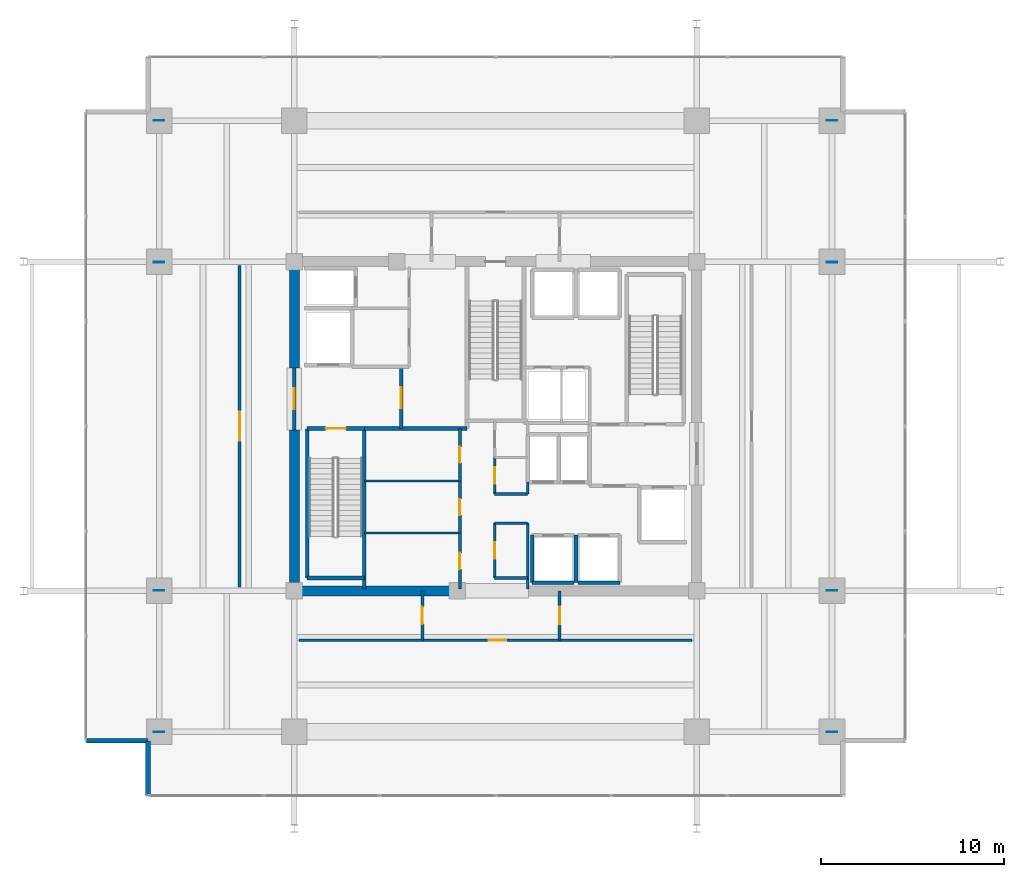
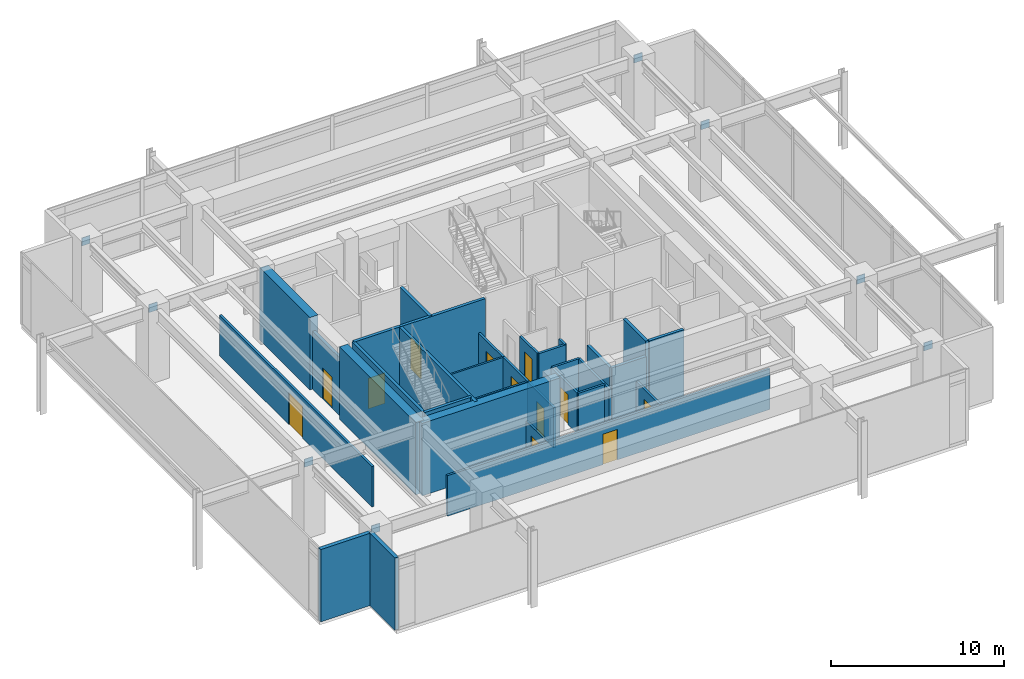
# One storey, part 20 of 24: 32 walls, 12 doors, 8 plates, 12 openings.
"""IFC4 building model written with IfcOpenShell, lengths in metres."""

from ifc_helpers import new_model, si_unit, direction, frame, frame_2d, origin, origin_2d, place, context, subcontext, project, spatial, rectangle, extrude, material, layer, layer_set, type_object, element, fill, save


model = new_model("IFC4")

# Units and contexts
model_context = context("Model", 3, precision=1e-05, world=origin(), true_north=direction((0.0, 1.0)))
body_context = subcontext(model_context, "Body", "Model", "MODEL_VIEW")
ifc_project = project(units=[si_unit("LENGTHUNIT", "METRE"), si_unit("AREAUNIT", "SQUARE_METRE"), si_unit("VOLUMEUNIT", "CUBIC_METRE"), si_unit("PLANEANGLEUNIT", "RADIAN"), si_unit("MASSUNIT", "GRAM", prefix="KILO")], contexts=[model_context])

# Site, building, storey
site_placement = place(None, origin())
site = spatial("IfcSite", under=ifc_project, at=site_placement, CompositionType="ELEMENT")
building_placement = place(site_placement, origin())
building = spatial("IfcBuilding", under=site, at=building_placement, Name="Kovane Verandah Tower", CompositionType="ELEMENT")
storey_placement = place(building_placement, frame((0.0, 0.0, 194.800048828125)))
storey = spatial("IfcBuildingStorey", under=building, at=storey_placement, Name="L45", CompositionType="ELEMENT", Elevation=194.800048828125)

# Plates
ifc_material_1 = material(Name="Steel S460", Category="steel")
ifc_layer_1 = layer(ifc_material_1, 0.050048828125)
ifc_layer_set_1 = layer_set([ifc_layer_1], Name="Steel S460")
plate_type = type_object("IfcPlateType", Name="PL-CAP-50", PredefinedType="SHEET", material=ifc_layer_set_1)
for number, where, z_axis, x_axis, name in (
    (1, (21.60009765625, 10.780029296875, 4.5400390625), (0.0, 0.0, 1.0), (0.0, 1.0, 0.0), "BT-CH-BW1-L45-P0"),
    (2, (21.60009765625, 18.52001953125, 4.5400390625), (0.0, 0.0, 1.0), (0.0, 1.0, 0.0), "BT-CH-BW1-L45-P1"),
    (3, (21.60009765625, 36.47998046875, 4.5400390625), (0.0, 0.0, 1.0), (0.0, 1.0, 0.0), "BT-CH-BW2-L45-P0"),
    (4, (21.60009765625, 44.219970703125, 4.5400390625), (0.0, 0.0, 1.0), (0.0, 1.0, 0.0), "BT-CH-BW2-L45-P1"),
    (5, (58.39990234375, 10.780029296875, 4.5400390625), (0.0, 0.0, 1.0), (0.0, 1.0, 0.0), "BT-CH-BE1-L45-P0"),
    (6, (58.39990234375, 18.52001953125, 4.5400390625), (0.0, 0.0, 1.0), (0.0, 1.0, 0.0), "BT-CH-BE1-L45-P1"),
    (7, (58.39990234375, 36.47998046875, 4.5400390625), (0.0, 0.0, 1.0), (0.0, 1.0, 0.0), "BT-CH-BE2-L45-P0"),
    (8, (58.39990234375, 44.219970703125, 4.5400390625), (0.0, 0.0, 1.0), (0.0, 1.0, 0.0), "BT-CH-BE2-L45-P1"),
):
    element("IfcPlate", number, at=place(storey_placement, frame(where, z_axis=z_axis, x_axis=x_axis)), inside=storey, type_object=plate_type, Name=name, PredefinedType="SHEET", context=body_context, shape_type="SweptSolid", body=[
        extrude(rectangle(XDim=0.050048828125, YDim=0.56005859375, at=origin_2d()), origin(), (0.0, 0.0, 1.0), 0.56005859375),
    ])

# Walls
ifc_material_2 = material(Name="Fire-Rated Gypsum Stud Partition", Category="gypsum")
ifc_layer_2 = layer(ifc_material_2, 0.14990234375)
ifc_layer_set_2 = layer_set([ifc_layer_2], Name="Fire-Rated Gypsum Stud Partition")
wall_type_1 = type_object("IfcWallType", Name="WL-COR-150", PredefinedType="PARTITIONING", material=ifc_layer_set_2)
for number, where, z_axis, x_axis, name in (
    (9, (39.949951171875, 19.199951171875, 0.0), (0.0, 0.0, 1.0), (1.0, 0.0, 0.0), "L45 Central Core Strip South Wall"),
    (10, (39.949951171875, 22.199951171875, 0.0), (0.0, 0.0, 1.0), (1.0, 0.0, 0.0), "L45 Core Cross-Passage South Wall"),
    (11, (39.949951171875, 23.800048828125, 0.0), (0.0, 0.0, 1.0), (1.0, 0.0, 0.0), "L45 Core Cross-Passage North Wall"),
):
    element("IfcWall", number, at=place(storey_placement, frame(where, z_axis=z_axis, x_axis=x_axis)), inside=storey, type_object=wall_type_1, Name=name, PredefinedType="PARTITIONING", context=body_context, shape_type="SweptSolid", body=[
        extrude(rectangle(XDim=1.81005859375, YDim=0.14990234375, at=frame_2d((0.905029296875, 0.0))), origin(), (0.0, 0.0, 1.0), 2.849853515625),
    ])
wall_1_placement = place(storey_placement, frame((41.760009765625, 18.60009765625, 0.0), z_axis=(0.0, 0.0, 1.0), x_axis=(0.0, 1.0, 0.0)))
element("IfcWall", 12, at=wall_1_placement, inside=storey, type_object=wall_type_1, Name="L45 Central Core Strip Lower East Wall", PredefinedType="PARTITIONING", context=body_context, shape_type="SweptSolid", body=[
    extrude(rectangle(XDim=3.599853515625, YDim=0.14990234375, at=frame_2d((1.7998046875, 0.0))), origin(), (0.0, 0.0, 1.0), 2.849853515625),
])
wall_2_placement = place(storey_placement, frame((41.760009765625, 23.800048828125, 0.0), z_axis=(0.0, 0.0, 1.0), x_axis=(0.0, 1.0, 0.0)))
element("IfcWall", 13, at=wall_2_placement, inside=storey, type_object=wall_type_1, Name="L45 Central Core Strip Middle East Wall", PredefinedType="PARTITIONING", context=body_context, shape_type="SweptSolid", body=[
    extrude(rectangle(XDim=0.64990234375, YDim=0.14990234375, at=frame_2d((0.324951171875, 0.0))), origin(), (0.0, 0.0, 1.0), 2.849853515625),
])

# Wall, opening, door
wall_3_placement = place(storey_placement, frame((39.949951171875, 19.199951171875, 0.0), z_axis=(0.0, 0.0, 1.0), x_axis=(0.0, 1.0, 0.0)))
wall_3 = element("IfcWall", 14, at=wall_3_placement, inside=storey, type_object=wall_type_1, Name="L45 Male Toilet Partition", PredefinedType="PARTITIONING", context=body_context, shape_type="SweptSolid", body=[
    extrude(rectangle(XDim=3.0, YDim=0.14990234375, at=frame_2d((1.5, 0.0))), origin(), (0.0, 0.0, 1.0), 2.849853515625),
])
opening_1_placement = place(wall_3_placement, frame((1.050048828125, 0.0, 0.0)))
opening_1 = element("IfcOpeningElement", 15, at=opening_1_placement, cuts=wall_3, Name="Opening DR-L45-026", PredefinedType="OPENING", context=body_context, shape_type="SweptSolid", body=[
    extrude(rectangle(XDim=0.89990234375, YDim=2.10009765625, at=frame_2d((0.449951171875, 1.050048828125))), frame((0.0, 0.074951171875, 0.0), z_axis=(0.0, -1.0, 0.0), x_axis=(1.0, 0.0, 0.0)), (0.0, 0.0, 1.0), 0.14990234375),
])
ifc_material_3 = material(Name="Moisture-Resistant Laminate Washroom Door", Category="wood")
door_type_1 = type_object("IfcDoorType", Name="DR-WC-900", OperationType="SINGLE_SWING_LEFT", PredefinedType="DOOR", material=ifc_material_3)
door_1_placement = place(opening_1_placement, origin())
door_1 = element("IfcDoor", 16, at=door_1_placement, inside=storey, type_object=door_type_1, Name="L45 Male Toilet Door", OperationType="SINGLE_SWING_RIGHT", OverallHeight=2.10009765625, OverallWidth=0.89990234375, PredefinedType="DOOR", context=body_context, shape_type="SweptSolid", body=[
    extrude(rectangle(XDim=0.89990234375, YDim=2.10009765625, at=frame_2d((0.449951171875, 1.050048828125))), frame((0.0, 0.02490234375, 0.0), z_axis=(0.0, -1.0, 0.0), x_axis=(1.0, 0.0, 0.0)), (0.0, 0.0, 1.0), 0.050048828125),
])
fill(opening_1, door_1)

wall_4_placement = place(storey_placement, frame((39.949951171875, 23.800048828125, 0.0), z_axis=(0.0, 0.0, 1.0), x_axis=(0.0, 1.0, 0.0)))
wall_4 = element("IfcWall", 17, at=wall_4_placement, inside=storey, type_object=wall_type_1, Name="L45 Female Toilet Partition", PredefinedType="PARTITIONING", context=body_context, shape_type="SweptSolid", body=[
    extrude(rectangle(XDim=2.0, YDim=0.14990234375, at=frame_2d((1.0, 0.0))), origin(), (0.0, 0.0, 1.0), 2.849853515625),
])
opening_2_placement = place(wall_4_placement, frame((0.550048828125, 0.0, 0.0)))
opening_2 = element("IfcOpeningElement", 18, at=opening_2_placement, cuts=wall_4, Name="Opening DR-L45-025", PredefinedType="OPENING", context=body_context, shape_type="SweptSolid", body=[
    extrude(rectangle(XDim=0.89990234375, YDim=2.10009765625, at=frame_2d((0.449951171875, 1.050048828125))), frame((0.0, 0.074951171875, 0.0), z_axis=(0.0, -1.0, 0.0), x_axis=(1.0, 0.0, 0.0)), (0.0, 0.0, 1.0), 0.14990234375),
])
door_2_placement = place(opening_2_placement, origin())
door_2 = element("IfcDoor", 19, at=door_2_placement, inside=storey, type_object=door_type_1, Name="L45 Female Toilet Door", OperationType="SINGLE_SWING_LEFT", OverallHeight=2.10009765625, OverallWidth=0.89990234375, PredefinedType="DOOR", context=body_context, shape_type="SweptSolid", body=[
    extrude(rectangle(XDim=0.89990234375, YDim=2.10009765625, at=frame_2d((0.449951171875, 1.050048828125))), frame((0.0, 0.02490234375, 0.0), z_axis=(0.0, -1.0, 0.0), x_axis=(1.0, 0.0, 0.0)), (0.0, 0.0, 1.0), 0.050048828125),
])
fill(opening_2, door_2)

wall_5_placement = place(storey_placement, frame((38.050048828125, 18.60009765625, 0.0), z_axis=(0.0, 0.0, 1.0), x_axis=(0.0, 1.0, 0.0)))
wall_5 = element("IfcWall", 20, at=wall_5_placement, inside=storey, type_object=wall_type_1, Name="L45 Core Smoke Extract Plant Room Partition", PredefinedType="PARTITIONING", context=body_context, shape_type="SweptSolid", body=[
    extrude(rectangle(XDim=3.059814453125, YDim=0.14990234375, at=frame_2d((1.52978515625, 0.0))), origin(), (0.0, 0.0, 1.0), 2.849853515625),
])
opening_3_placement = place(wall_5_placement, frame((1.090087890625, 0.0, 0.0)))
opening_3 = element("IfcOpeningElement", 21, at=opening_3_placement, cuts=wall_5, Name="Opening DR-L45-015", PredefinedType="OPENING", context=body_context, shape_type="SweptSolid", body=[
    extrude(rectangle(XDim=0.8798828125, YDim=2.10009765625, at=frame_2d((0.43994140625, 1.050048828125))), frame((0.0, 0.074951171875, 0.0), z_axis=(0.0, -1.0, 0.0), x_axis=(1.0, 0.0, 0.0)), (0.0, 0.0, 1.0), 0.14990234375),
])
ifc_material_4 = material(Name="Fire-Rated Steel Riser Access Door", Category="steel")
door_type_2 = type_object("IfcDoorType", Name="DR-RISER-880", OperationType="SINGLE_SWING_LEFT", PredefinedType="DOOR", material=ifc_material_4)
door_3_placement = place(opening_3_placement, origin())
door_3 = element("IfcDoor", 22, at=door_3_placement, inside=storey, type_object=door_type_2, Name="L45 Core Smoke Extract Plant Room Door", OperationType="SINGLE_SWING_LEFT", OverallHeight=2.10009765625, OverallWidth=0.8798828125, PredefinedType="DOOR", context=body_context, shape_type="SweptSolid", body=[
    extrude(rectangle(XDim=0.8798828125, YDim=2.10009765625, at=frame_2d((0.43994140625, 1.050048828125))), frame((0.0, 0.02490234375, 0.0), z_axis=(0.0, -1.0, 0.0), x_axis=(1.0, 0.0, 0.0)), (0.0, 0.0, 1.0), 0.050048828125),
])
fill(opening_3, door_3)

wall_6_placement = place(storey_placement, frame((38.050048828125, 21.659912109375, 0.0), z_axis=(0.0, 0.0, 1.0), x_axis=(0.0, 1.0, 0.0)))
wall_6 = element("IfcWall", 23, at=wall_6_placement, inside=storey, type_object=wall_type_1, Name="L45 Core Chilled Water Booster Plant Room Partition", PredefinedType="PARTITIONING", context=body_context, shape_type="SweptSolid", body=[
    extrude(rectangle(XDim=2.840087890625, YDim=0.14990234375, at=frame_2d((1.419921875, 0.0))), origin(), (0.0, 0.0, 1.0), 2.849853515625),
])
opening_4_placement = place(wall_6_placement, frame((0.97998046875, 0.0, 0.0)))
opening_4 = element("IfcOpeningElement", 24, at=opening_4_placement, cuts=wall_6, Name="Opening DR-L45-016", PredefinedType="OPENING", context=body_context, shape_type="SweptSolid", body=[
    extrude(rectangle(XDim=0.8798828125, YDim=2.10009765625, at=frame_2d((0.43994140625, 1.050048828125))), frame((0.0, 0.074951171875, 0.0), z_axis=(0.0, -1.0, 0.0), x_axis=(1.0, 0.0, 0.0)), (0.0, 0.0, 1.0), 0.14990234375),
])
door_4_placement = place(opening_4_placement, origin())
door_4 = element("IfcDoor", 25, at=door_4_placement, inside=storey, type_object=door_type_2, Name="L45 Core Chilled Water Booster Plant Room Door", OperationType="SINGLE_SWING_RIGHT", OverallHeight=2.10009765625, OverallWidth=0.8798828125, PredefinedType="DOOR", context=body_context, shape_type="SweptSolid", body=[
    extrude(rectangle(XDim=0.8798828125, YDim=2.10009765625, at=frame_2d((0.43994140625, 1.050048828125))), frame((0.0, 0.02490234375, 0.0), z_axis=(0.0, -1.0, 0.0), x_axis=(1.0, 0.0, 0.0)), (0.0, 0.0, 1.0), 0.050048828125),
])
fill(opening_4, door_4)

wall_7_placement = place(storey_placement, frame((38.050048828125, 24.5, 0.0), z_axis=(0.0, 0.0, 1.0), x_axis=(0.0, 1.0, 0.0)))
wall_7 = element("IfcWall", 26, at=wall_7_placement, inside=storey, type_object=wall_type_1, Name="L45 Core Electrical Switchgear Plant Room Partition", PredefinedType="PARTITIONING", context=body_context, shape_type="SweptSolid", body=[
    extrude(rectangle(XDim=2.8798828125, YDim=0.14990234375, at=frame_2d((1.43994140625, 0.0))), origin(), (0.0, 0.0, 1.0), 2.849853515625),
])
opening_5_placement = place(wall_7_placement, frame((1.0, 0.0, 0.0)))
opening_5 = element("IfcOpeningElement", 27, at=opening_5_placement, cuts=wall_7, Name="Opening DR-L45-017", PredefinedType="OPENING", context=body_context, shape_type="SweptSolid", body=[
    extrude(rectangle(XDim=0.8798828125, YDim=2.10009765625, at=frame_2d((0.43994140625, 1.050048828125))), frame((0.0, 0.074951171875, 0.0), z_axis=(0.0, -1.0, 0.0), x_axis=(1.0, 0.0, 0.0)), (0.0, 0.0, 1.0), 0.14990234375),
])
door_5_placement = place(opening_5_placement, origin())
door_5 = element("IfcDoor", 28, at=door_5_placement, inside=storey, type_object=door_type_2, Name="L45 Core Electrical Switchgear Plant Room Door", OperationType="SINGLE_SWING_LEFT", OverallHeight=2.10009765625, OverallWidth=0.8798828125, PredefinedType="DOOR", context=body_context, shape_type="SweptSolid", body=[
    extrude(rectangle(XDim=0.8798828125, YDim=2.10009765625, at=frame_2d((0.43994140625, 1.050048828125))), frame((0.0, 0.02490234375, 0.0), z_axis=(0.0, -1.0, 0.0), x_axis=(1.0, 0.0, 0.0)), (0.0, 0.0, 1.0), 0.050048828125),
])
fill(opening_5, door_5)

wall_8_placement = place(storey_placement, frame((36.0, 15.800048828125, 0.0), z_axis=(0.0, 0.0, 1.0), x_axis=(0.0, 1.0, 0.0)))
wall_8 = element("IfcWall", 29, at=wall_8_placement, inside=storey, type_object=wall_type_1, Name="L45 South Refuge Stair Lobby West Fire Wall", PredefinedType="PARTITIONING", context=body_context, shape_type="SweptSolid", body=[
    extrude(rectangle(XDim=2.699951171875, YDim=0.14990234375, at=frame_2d((1.35009765625, 0.0))), origin(), (0.0, 0.0, 1.0), 2.849853515625),
])
opening_6_placement = place(wall_8_placement, frame((0.875, 0.0, 0.0)))
opening_6 = element("IfcOpeningElement", 30, at=opening_6_placement, cuts=wall_8, Name="Opening DR-L45-010", PredefinedType="OPENING", context=body_context, shape_type="SweptSolid", body=[
    extrude(rectangle(XDim=0.949951171875, YDim=2.14990234375, at=frame_2d((0.47509765625, 1.074951171875))), frame((0.0, 0.074951171875, 0.0), z_axis=(0.0, -1.0, 0.0), x_axis=(1.0, 0.0, 0.0)), (0.0, 0.0, 1.0), 0.14990234375),
])
ifc_material_5 = material(Name="Fire-Rated Steel Refuge and Lobby Door", Category="steel")
door_type_3 = type_object("IfcDoorType", Name="DR-FIRE-950", OperationType="SINGLE_SWING_LEFT", PredefinedType="DOOR", material=ifc_material_5)
door_6_placement = place(opening_6_placement, origin())
door_6 = element("IfcDoor", 31, at=door_6_placement, inside=storey, type_object=door_type_3, Name="L45 South Refuge Stair Lobby West Fire Door", OperationType="SINGLE_SWING_RIGHT", OverallHeight=2.14990234375, OverallWidth=0.949951171875, PredefinedType="DOOR", context=body_context, shape_type="SweptSolid", body=[
    extrude(rectangle(XDim=0.949951171875, YDim=2.14990234375, at=frame_2d((0.47509765625, 1.074951171875))), frame((0.0, 0.02490234375, 0.0), z_axis=(0.0, -1.0, 0.0), x_axis=(1.0, 0.0, 0.0)), (0.0, 0.0, 1.0), 0.050048828125),
])
fill(opening_6, door_6)

wall_9_placement = place(storey_placement, frame((43.5, 15.800048828125, 0.0), z_axis=(0.0, 0.0, 1.0), x_axis=(0.0, 1.0, 0.0)))
wall_9 = element("IfcWall", 32, at=wall_9_placement, inside=storey, type_object=wall_type_1, Name="L45 South Refuge Stair Lobby East Fire Wall", PredefinedType="PARTITIONING", context=body_context, shape_type="SweptSolid", body=[
    extrude(rectangle(XDim=2.699951171875, YDim=0.14990234375, at=frame_2d((1.35009765625, 0.0))), origin(), (0.0, 0.0, 1.0), 2.849853515625),
])
opening_7_placement = place(wall_9_placement, frame((0.875, 0.0, 0.0)))
opening_7 = element("IfcOpeningElement", 33, at=opening_7_placement, cuts=wall_9, Name="Opening DR-L45-009", PredefinedType="OPENING", context=body_context, shape_type="SweptSolid", body=[
    extrude(rectangle(XDim=0.949951171875, YDim=2.14990234375, at=frame_2d((0.47509765625, 1.074951171875))), frame((0.0, 0.074951171875, 0.0), z_axis=(0.0, -1.0, 0.0), x_axis=(1.0, 0.0, 0.0)), (0.0, 0.0, 1.0), 0.14990234375),
])
door_7_placement = place(opening_7_placement, origin())
door_7 = element("IfcDoor", 34, at=door_7_placement, inside=storey, type_object=door_type_3, Name="L45 South Refuge Stair Lobby East Fire Door", OperationType="SINGLE_SWING_LEFT", OverallHeight=2.14990234375, OverallWidth=0.949951171875, PredefinedType="DOOR", context=body_context, shape_type="SweptSolid", body=[
    extrude(rectangle(XDim=0.949951171875, YDim=2.14990234375, at=frame_2d((0.47509765625, 1.074951171875))), frame((0.0, 0.02490234375, 0.0), z_axis=(0.0, -1.0, 0.0), x_axis=(1.0, 0.0, 0.0)), (0.0, 0.0, 1.0), 0.050048828125),
])
fill(opening_7, door_7)

wall_10_placement = place(storey_placement, frame((29.25, 15.800048828125, 0.0), z_axis=(0.0, 0.0, 1.0), x_axis=(1.0, 0.0, 0.0)))
wall_10 = element("IfcWall", 35, at=wall_10_placement, inside=storey, type_object=wall_type_1, Name="L45 Open-Sided Refuge Area South Corridor Partition", PredefinedType="PARTITIONING", context=body_context, shape_type="SweptSolid", body=[
    extrude(rectangle(XDim=21.5, YDim=0.14990234375, at=frame_2d((10.75, 0.0))), origin(), (0.0, 0.0, 1.0), 2.849853515625),
])
opening_8_placement = place(wall_10_placement, frame((10.375, 0.0, 0.0)))
opening_8 = element("IfcOpeningElement", 36, at=opening_8_placement, cuts=wall_10, Name="Opening DR-L45-021", PredefinedType="OPENING", context=body_context, shape_type="SweptSolid", body=[
    extrude(rectangle(XDim=0.949951171875, YDim=2.14990234375, at=frame_2d((0.47509765625, 1.074951171875))), frame((0.0, 0.074951171875, 0.0), z_axis=(0.0, -1.0, 0.0), x_axis=(1.0, 0.0, 0.0)), (0.0, 0.0, 1.0), 0.14990234375),
])
door_8_placement = place(opening_8_placement, origin())
door_8 = element("IfcDoor", 37, at=door_8_placement, inside=storey, type_object=door_type_3, Name="L45 Open-Sided Refuge Area South Entrance Door", OperationType="SINGLE_SWING_LEFT", OverallHeight=2.14990234375, OverallWidth=0.949951171875, PredefinedType="DOOR", context=body_context, shape_type="SweptSolid", body=[
    extrude(rectangle(XDim=0.949951171875, YDim=2.14990234375, at=frame_2d((0.47509765625, 1.074951171875))), frame((0.0, 0.02490234375, 0.0), z_axis=(0.0, -1.0, 0.0), x_axis=(1.0, 0.0, 0.0)), (0.0, 0.0, 1.0), 0.050048828125),
])
fill(opening_8, door_8)

wall_11_placement = place(storey_placement, frame((26.0, 18.699951171875, 0.0), z_axis=(0.0, 0.0, 1.0), x_axis=(0.0, 1.0, 0.0)))
wall_11 = element("IfcWall", 38, at=wall_11_placement, inside=storey, type_object=wall_type_1, Name="L45 Outrigger Mechanical Plant Room West Corridor Partition", PredefinedType="PARTITIONING", context=body_context, shape_type="SweptSolid", body=[
    extrude(rectangle(XDim=17.60009765625, YDim=0.14990234375, at=frame_2d((8.800048828125, 0.0))), origin(), (0.0, 0.0, 1.0), 2.849853515625),
])
opening_9_placement = place(wall_11_placement, frame((8.0, 0.0, 0.0)))
opening_9 = element("IfcOpeningElement", 39, at=opening_9_placement, cuts=wall_11, Name="Opening DR-L45-023", PredefinedType="OPENING", context=body_context, shape_type="SweptSolid", body=[
    extrude(rectangle(XDim=1.60009765625, YDim=2.25, at=frame_2d((0.800048828125, 1.125))), frame((0.0, 0.074951171875, 0.0), z_axis=(0.0, -1.0, 0.0), x_axis=(1.0, 0.0, 0.0)), (0.0, 0.0, 1.0), 0.14990234375),
])
ifc_material_6 = material(Name="Louvred Acoustic Steel Double Plant Door", Category="steel")
door_type_4 = type_object("IfcDoorType", Name="DR-PLANT-1600", OperationType="DOUBLE_DOOR_SINGLE_SWING", PredefinedType="DOOR", material=ifc_material_6)
door_9_placement = place(opening_9_placement, origin())
door_9 = element("IfcDoor", 40, at=door_9_placement, inside=storey, type_object=door_type_4, Name="L45 Outrigger Mechanical Plant Room West Entrance Door", OperationType="DOUBLE_DOOR_SINGLE_SWING", OverallHeight=2.25, OverallWidth=1.60009765625, PredefinedType="DOOR", context=body_context, shape_type="SweptSolid", body=[
    extrude(rectangle(XDim=1.60009765625, YDim=2.25, at=frame_2d((0.800048828125, 1.125))), frame((0.0, 0.02490234375, 0.0), z_axis=(0.0, -1.0, 0.0), x_axis=(1.0, 0.0, 0.0)), (0.0, 0.0, 1.0), 0.050048828125),
])
fill(opening_9, door_9)

# Walls
ifc_material_7 = material(Name="Concrete C60/75", Category="concrete")
ifc_layer_3 = layer(ifc_material_7, 0.550048828125)
ifc_layer_set_3 = layer_set([ifc_layer_3], Name="Concrete C60/75")
wall_type_2 = type_object("IfcWallType", Name="WL-CORE-550", PredefinedType="SHEAR", material=ifc_layer_set_3)
wall_12_placement = place(storey_placement, frame((29.0, 18.5, 0.0), z_axis=(0.0, 0.0, 1.0), x_axis=(1.0, 0.0, 0.0)))
element("IfcWall", 41, at=wall_12_placement, inside=storey, type_object=wall_type_2, Name="L45 Core Shear Wall CS-1", PredefinedType="SHEAR", context=body_context, shape_type="SweptSolid", body=[
    extrude(rectangle(XDim=9.199951171875, YDim=0.550048828125, at=frame_2d((4.60009765625, 0.0))), origin(), (0.0, 0.0, 1.0), 5.099853515625),
])
wall_13_placement = place(storey_placement, frame((29.0, 18.5, 0.0), z_axis=(0.0, 0.0, 1.0), x_axis=(0.0, 1.0, 0.0)))
element("IfcWall", 42, at=wall_13_placement, inside=storey, type_object=wall_type_2, Name="L45 Core Shear Wall CW-1", PredefinedType="SHEAR", context=body_context, shape_type="SweptSolid", body=[
    extrude(rectangle(XDim=8.800048828125, YDim=0.550048828125, at=frame_2d((4.39990234375, 0.0))), origin(), (0.0, 0.0, 1.0), 5.099853515625),
])
wall_14_placement = place(storey_placement, frame((29.0, 30.699951171875, 0.0), z_axis=(0.0, 0.0, 1.0), x_axis=(0.0, 1.0, 0.0)))
element("IfcWall", 43, at=wall_14_placement, inside=storey, type_object=wall_type_2, Name="L45 Core Shear Wall CW-2", PredefinedType="SHEAR", context=body_context, shape_type="SweptSolid", body=[
    extrude(rectangle(XDim=5.800048828125, YDim=0.550048828125, at=frame_2d((2.89990234375, 0.0))), origin(), (0.0, 0.0, 1.0), 5.099853515625),
])

# Wall, opening, door
ifc_material_8 = material(Name="Concrete C45/55 Fire Wall", Category="concrete")
ifc_layer_4 = layer(ifc_material_8, 0.199951171875)
ifc_layer_set_4 = layer_set([ifc_layer_4], Name="Concrete C45/55 Fire Wall")
wall_type_3 = type_object("IfcWallType", Name="WL-FFL-200", PredefinedType="PARTITIONING", material=ifc_layer_set_4)
wall_15_placement = place(storey_placement, frame((34.85009765625, 27.3798828125, 0.0), z_axis=(0.0, 0.0, 1.0), x_axis=(0.0, 1.0, 0.0)))
wall_15 = element("IfcWall", 44, at=wall_15_placement, inside=storey, type_object=wall_type_3, Name="W-L45-FFLW-E", PredefinedType="PARTITIONING", context=body_context, shape_type="SweptSolid", body=[
    extrude(rectangle(XDim=3.3701171875, YDim=0.199951171875, at=frame_2d((1.68505859375, 0.0))), origin(), (0.0, 0.0, 1.0), 5.099853515625),
])
opening_10_placement = place(wall_15_placement, frame((1.110107421875, 0.0, 0.0)))
opening_10 = element("IfcOpeningElement", 45, at=opening_10_placement, cuts=wall_15, Name="Opening DR-L45-004", PredefinedType="OPENING", context=body_context, shape_type="SweptSolid", body=[
    extrude(rectangle(XDim=1.14990234375, YDim=2.199951171875, at=frame_2d((0.574951171875, 1.10009765625))), frame((0.0, 0.10009765625, 0.0), z_axis=(0.0, -1.0, 0.0), x_axis=(1.0, 0.0, 0.0)), (0.0, 0.0, 1.0), 0.199951171875),
])
ifc_material_9 = material(Name="Smoke-Sealed Firefighting Lobby Door", Category="steel")
door_type_5 = type_object("IfcDoorType", Name="DR-FFL-1150", OperationType="SINGLE_SWING_LEFT", PredefinedType="DOOR", material=ifc_material_9)
door_10_placement = place(opening_10_placement, origin())
door_10 = element("IfcDoor", 46, at=door_10_placement, inside=storey, type_object=door_type_5, Name="L45 West Firefighting Lobby Inner Door", OperationType="SINGLE_SWING_LEFT", OverallHeight=2.199951171875, OverallWidth=1.14990234375, PredefinedType="DOOR", context=body_context, shape_type="SweptSolid", body=[
    extrude(rectangle(XDim=1.14990234375, YDim=2.199951171875, at=frame_2d((0.574951171875, 1.10009765625))), frame((0.0, 0.02490234375, 0.0), z_axis=(0.0, -1.0, 0.0), x_axis=(1.0, 0.0, 0.0)), (0.0, 0.0, 1.0), 0.050048828125),
])
fill(opening_10, door_10)

wall_16_placement = place(storey_placement, frame((29.0, 27.300048828125, 0.0), z_axis=(0.0, 0.0, 1.0), x_axis=(0.0, 1.0, 0.0)))
wall_16 = element("IfcWall", 47, at=wall_16_placement, inside=storey, type_object=wall_type_3, Name="W-L45-FFLW-OUT", PredefinedType="PARTITIONING", context=body_context, shape_type="SweptSolid", body=[
    extrude(rectangle(XDim=3.39990234375, YDim=0.199951171875, at=frame_2d((1.699951171875, 0.0))), origin(), (0.0, 0.0, 1.0), 4.079833984375),
])
opening_11_placement = place(wall_16_placement, frame((1.125, 0.0, 0.0)))
opening_11 = element("IfcOpeningElement", 48, at=opening_11_placement, cuts=wall_16, Name="Opening DR-L45-005", PredefinedType="OPENING", context=body_context, shape_type="SweptSolid", body=[
    extrude(rectangle(XDim=1.14990234375, YDim=2.199951171875, at=frame_2d((0.574951171875, 1.10009765625))), frame((0.0, 0.10009765625, 0.0), z_axis=(0.0, -1.0, 0.0), x_axis=(1.0, 0.0, 0.0)), (0.0, 0.0, 1.0), 0.199951171875),
])
door_11_placement = place(opening_11_placement, origin())
door_11 = element("IfcDoor", 49, at=door_11_placement, inside=storey, type_object=door_type_5, Name="L45 West Firefighting Lobby Corridor Door", OperationType="SINGLE_SWING_RIGHT", OverallHeight=2.199951171875, OverallWidth=1.14990234375, PredefinedType="DOOR", context=body_context, shape_type="SweptSolid", body=[
    extrude(rectangle(XDim=1.14990234375, YDim=2.199951171875, at=frame_2d((0.574951171875, 1.10009765625))), frame((0.0, 0.02490234375, 0.0), z_axis=(0.0, -1.0, 0.0), x_axis=(1.0, 0.0, 0.0)), (0.0, 0.0, 1.0), 0.050048828125),
])
fill(opening_11, door_11)

# Walls
wall_17_placement = place(storey_placement, frame((32.820068359375, 27.3798828125, 0.0), z_axis=(0.0, 0.0, 1.0), x_axis=(1.0, 0.0, 0.0)))
element("IfcWall", 50, at=wall_17_placement, inside=storey, type_object=wall_type_3, Name="L45 West Firefighting Lobby South Fire Wall", PredefinedType="PARTITIONING", context=body_context, shape_type="SweptSolid", body=[
    extrude(rectangle(XDim=5.619873046875, YDim=0.199951171875, at=frame_2d((2.81005859375, 0.0))), origin(), (0.0, 0.0, 1.0), 5.099853515625),
])
ifc_material_10 = material(Name="Concrete C45/55 Lift Shaft Wall", Category="concrete")
ifc_layer_5 = layer(ifc_material_10, 0.199951171875)
ifc_layer_set_5 = layer_set([ifc_layer_5], Name="Concrete C45/55 Lift Shaft Wall")
wall_type_4 = type_object("IfcWallType", Name="WL-LIFT-200", PredefinedType="SOLIDWALL", material=ifc_layer_set_5)
wall_18_placement = place(storey_placement, frame((42.0, 18.949951171875, 0.0), z_axis=(0.0, 0.0, 1.0), x_axis=(1.0, 0.0, 0.0)))
element("IfcWall", 51, at=wall_18_placement, inside=storey, type_object=wall_type_4, Name="L45 Lift PL-M1 S Shaft Wall", PredefinedType="SOLIDWALL", context=body_context, shape_type="SweptSolid", body=[
    extrude(rectangle(XDim=2.300048828125, YDim=0.199951171875, at=frame_2d((1.14990234375, 0.0))), origin(), (0.0, 0.0, 1.0), 4.079833984375),
])
wall_19_placement = place(storey_placement, frame((42.0, 21.550048828125, 0.0), z_axis=(0.0, 0.0, 1.0), x_axis=(0.0, -1.0, 0.0)))
element("IfcWall", 52, at=wall_19_placement, inside=storey, type_object=wall_type_4, Name="L45 Lift PL-M1 W Shaft Wall", PredefinedType="SOLIDWALL", context=body_context, shape_type="SweptSolid", body=[
    extrude(rectangle(XDim=2.60009765625, YDim=0.199951171875, at=frame_2d((1.300048828125, 0.0))), origin(), (0.0, 0.0, 1.0), 4.079833984375),
])
wall_20_placement = place(storey_placement, frame((44.39990234375, 18.949951171875, 0.0), z_axis=(0.0, 0.0, 1.0), x_axis=(0.0, 1.0, 0.0)))
element("IfcWall", 53, at=wall_20_placement, inside=storey, type_object=wall_type_4, Name="L45 Lift PL-M1 and PL-M2 Shared Shaft Wall", PredefinedType="SOLIDWALL", context=body_context, shape_type="SweptSolid", body=[
    extrude(rectangle(XDim=2.60009765625, YDim=0.199951171875, at=frame_2d((1.300048828125, 0.0))), origin(), (0.0, 0.0, 1.0), 5.099853515625),
])
wall_21_placement = place(storey_placement, frame((44.5, 18.949951171875, 0.0), z_axis=(0.0, 0.0, 1.0), x_axis=(1.0, 0.0, 0.0)))
element("IfcWall", 54, at=wall_21_placement, inside=storey, type_object=wall_type_4, Name="L45 Lift PL-M2 S Shaft Wall", PredefinedType="SOLIDWALL", context=body_context, shape_type="SweptSolid", body=[
    extrude(rectangle(XDim=2.300048828125, YDim=0.199951171875, at=frame_2d((1.14990234375, 0.0))), origin(), (0.0, 0.0, 1.0), 5.099853515625),
])
ifc_material_11 = material(Name="Acoustic Fire-Rated Gypsum Partition", Category="gypsum")
ifc_layer_6 = layer(ifc_material_11, 0.1201171875)
ifc_layer_set_6 = layer_set([ifc_layer_6], Name="Acoustic Fire-Rated Gypsum Partition")
wall_type_5 = type_object("IfcWallType", Name="WL-PART-120", PredefinedType="PARTITIONING", material=ifc_layer_set_6)
for number, where, z_axis, x_axis, name in (
    (55, (32.820068359375, 21.659912109375, 0.0), (0.0, 0.0, 1.0), (1.0, 0.0, 0.0), "L45 Core Support Lower Dividing Partition"),
    (56, (32.820068359375, 24.5, 0.0), (0.0, 0.0, 1.0), (1.0, 0.0, 0.0), "L45 Core Support Upper Dividing Partition"),
):
    element("IfcWall", number, at=place(storey_placement, frame(where, z_axis=z_axis, x_axis=x_axis)), inside=storey, type_object=wall_type_5, Name=name, PredefinedType="PARTITIONING", context=body_context, shape_type="SweptSolid", body=[
        extrude(rectangle(XDim=5.22998046875, YDim=0.1201171875, at=frame_2d((2.614990234375, 0.0))), origin(), (0.0, 0.0, 1.0), 2.849853515625),
    ])
ifc_material_12 = material(Name="Concrete C45/55", Category="concrete")
ifc_layer_7 = layer(ifc_material_12, 0.199951171875)
ifc_layer_set_7 = layer_set([ifc_layer_7], Name="Concrete C45/55")
wall_type_6 = type_object("IfcWallType", Name="WL-SHAFT-200", PredefinedType="SOLIDWALL", material=ifc_layer_set_7)
wall_22_placement = place(storey_placement, frame((29.699951171875, 19.199951171875, 0.0), z_axis=(0.0, 0.0, 1.0), x_axis=(0.0, 1.0, 0.0)))
element("IfcWall", 57, at=wall_22_placement, inside=storey, type_object=wall_type_6, Name="W-L45-ST01-W", PredefinedType="SOLIDWALL", context=body_context, shape_type="SweptSolid", body=[
    extrude(rectangle(XDim=8.150146484375, YDim=0.199951171875, at=frame_2d((4.0751953125, 0.0))), origin(), (0.0, 0.0, 1.0), 5.099853515625),
])
wall_23_placement = place(storey_placement, frame((29.699951171875, 19.199951171875, 0.0), z_axis=(0.0, 0.0, 1.0), x_axis=(1.0, 0.0, 0.0)))
element("IfcWall", 58, at=wall_23_placement, inside=storey, type_object=wall_type_6, Name="W-L45-ST01-S", PredefinedType="SOLIDWALL", context=body_context, shape_type="SweptSolid", body=[
    extrude(rectangle(XDim=3.1201171875, YDim=0.199951171875, at=frame_2d((1.56005859375, 0.0))), origin(), (0.0, 0.0, 1.0), 5.099853515625),
])
wall_24_placement = place(storey_placement, frame((32.820068359375, 18.60009765625, 0.0), z_axis=(0.0, 0.0, 1.0), x_axis=(0.0, 1.0, 0.0)))
element("IfcWall", 59, at=wall_24_placement, inside=storey, type_object=wall_type_6, Name="W-L45-ST01-E", PredefinedType="SOLIDWALL", context=body_context, shape_type="SweptSolid", body=[
    extrude(rectangle(XDim=8.77978515625, YDim=0.199951171875, at=frame_2d((4.389892578125, 0.0))), origin(), (0.0, 0.0, 1.0), 5.099853515625),
])

# Wall, opening, door
wall_25_placement = place(storey_placement, frame((29.699951171875, 27.3798828125, 0.0), z_axis=(0.0, 0.0, 1.0), x_axis=(1.0, 0.0, 0.0)))
wall_25 = element("IfcWall", 60, at=wall_25_placement, inside=storey, type_object=wall_type_6, Name="W-L45-ST01-N", PredefinedType="SOLIDWALL", context=body_context, shape_type="SweptSolid", body=[
    extrude(rectangle(XDim=3.1201171875, YDim=0.199951171875, at=frame_2d((1.56005859375, 0.0))), origin(), (0.0, 0.0, 1.0), 5.099853515625),
])
opening_12_placement = place(wall_25_placement, frame((1.010009765625, 0.0, 0.0)))
opening_12 = element("IfcOpeningElement", 61, at=opening_12_placement, cuts=wall_25, Name="Opening DR-L45-011", PredefinedType="OPENING", context=body_context, shape_type="SweptSolid", body=[
    extrude(rectangle(XDim=1.10009765625, YDim=2.14990234375, at=frame_2d((0.550048828125, 1.074951171875))), frame((0.0, 0.10009765625, 0.0), z_axis=(0.0, -1.0, 0.0), x_axis=(1.0, 0.0, 0.0)), (0.0, 0.0, 1.0), 0.199951171875),
])
ifc_material_13 = material(Name="Fire-Rated Steel Exit Door", Category="steel")
door_type_6 = type_object("IfcDoorType", Name="DR-STAIR-1100", OperationType="SINGLE_SWING_LEFT", PredefinedType="DOOR", material=ifc_material_13)
door_12_placement = place(opening_12_placement, origin())
door_12 = element("IfcDoor", 62, at=door_12_placement, inside=storey, type_object=door_type_6, Name="L45 ST-01 Fire Exit Stair Door", OperationType="SINGLE_SWING_LEFT", OverallHeight=2.14990234375, OverallWidth=1.10009765625, PredefinedType="DOOR", context=body_context, shape_type="SweptSolid", body=[
    extrude(rectangle(XDim=1.10009765625, YDim=2.14990234375, at=frame_2d((0.550048828125, 1.074951171875))), frame((0.0, 0.02490234375, 0.0), z_axis=(0.0, -1.0, 0.0), x_axis=(1.0, 0.0, 0.0)), (0.0, 0.0, 1.0), 0.050048828125),
])
fill(opening_12, door_12)

# Walls
ifc_material_14 = material(Name="Concrete C45/55 Insulated Spandrel Wall", Category="concrete")
ifc_layer_8 = layer(ifc_material_14, 0.260009765625)
ifc_layer_set_8 = layer_set([ifc_layer_8], Name="Concrete C45/55 Insulated Spandrel Wall")
wall_type_7 = type_object("IfcWallType", Name="WL-SPANDREL-260", PredefinedType="PARAPET", material=ifc_layer_set_8)
wall_26_placement = place(storey_placement, frame((17.60009765625, 10.300048828125, 0.0), z_axis=(0.0, 0.0, 1.0), x_axis=(1.0, 0.0, 0.0)))
element("IfcWall", 63, at=wall_26_placement, inside=storey, type_object=wall_type_7, Name="L45 SW Notch Cheek Wall 1", PredefinedType="PARAPET", context=body_context, shape_type="SweptSolid", body=[
    extrude(rectangle(XDim=3.39990234375, YDim=0.260009765625, at=frame_2d((1.699951171875, 0.0))), origin(), (0.0, 0.0, 1.0), 5.099853515625),
])
wall_27_placement = place(storey_placement, frame((21.0, 10.300048828125, 0.0), z_axis=(0.0, 0.0, 1.0), x_axis=(0.0, -1.0, 0.0)))
element("IfcWall", 64, at=wall_27_placement, inside=storey, type_object=wall_type_7, Name="L45 SW Notch Cheek Wall 2", PredefinedType="PARAPET", context=body_context, shape_type="SweptSolid", body=[
    extrude(rectangle(XDim=3.0, YDim=0.260009765625, at=frame_2d((1.5, 0.0))), origin(), (0.0, 0.0, 1.0), 5.099853515625),
])

save(model, "model.ifc")
